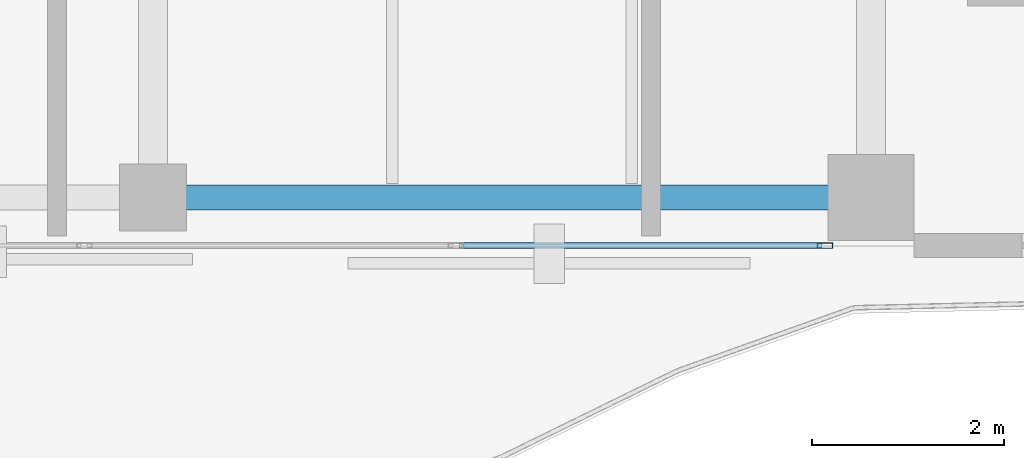
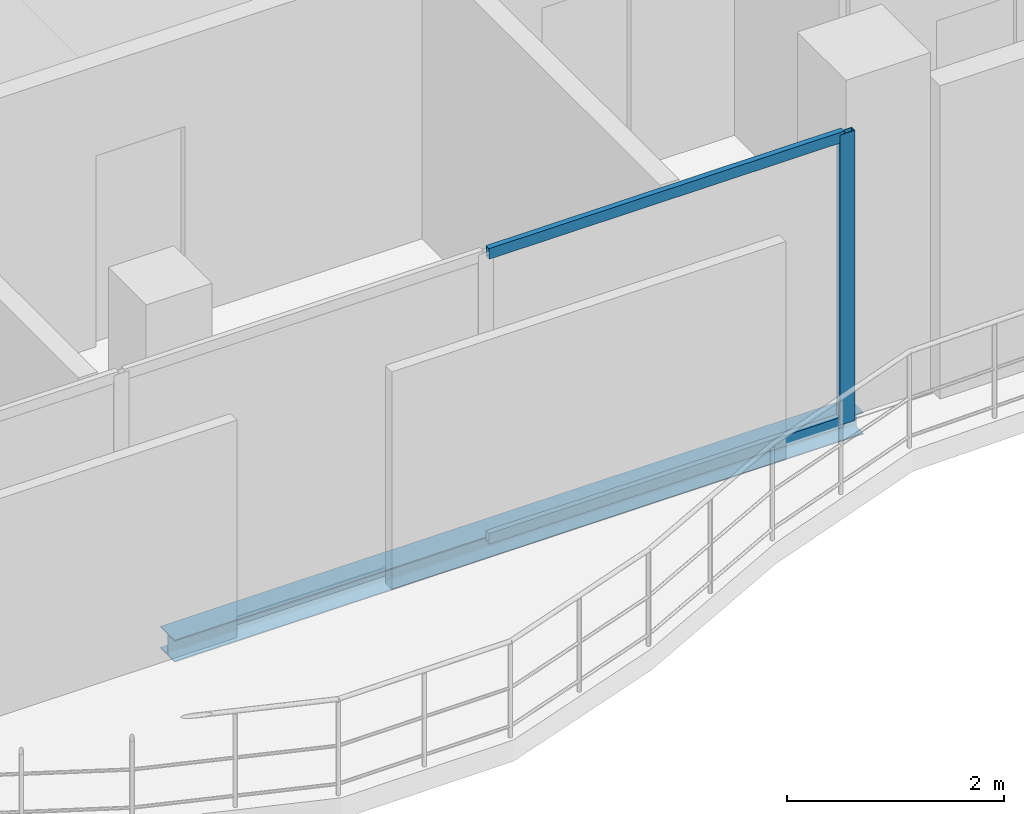
# One storey, part 7 of 18: 3 members, 1 beam, 1 element without a shape of its own.
"""IFC4 building model written with IfcOpenShell, lengths in metres."""

import ifcopenshell
import ifcopenshell.guid

model = None  # the IFC model being written
_history = None  # IfcOwnerHistory: only IFC2X3 demands one
_inside = {}  # id of a spatial element -> (the spatial element, [elements in it])
_under = {}  # id of a project, library or spatial element -> (it, [spatial elements below it])
_declared = {}  # id of a project -> (the project, [libraries it declares])
_typed = {}  # id of a type object -> (the type object, [elements of that type])
_made_of = {}  # id of a material, layer set ... -> (it, [elements and type objects made of it])


def new_model(schema):
    """Start an empty IFC model of exactly this schema.

    Asked for "IFC4X3", IfcOpenShell would pick the latest addendum, in which some entities
    have other attributes; the version numbers below select the first issue.
    IFC2X3 requires an IfcOwnerHistory on every rooted entity: one is made here for all.
    """
    global model, _history
    if schema == "IFC4X3":
        model = ifcopenshell.file(schema_version=(4, 3, 0, 0))
    else:
        model = ifcopenshell.file(schema=schema)
    _inside.clear()
    _under.clear()
    _declared.clear()
    _typed.clear()
    _made_of.clear()
    _history = None
    if model.schema == "IFC2X3":
        org = make("IfcOrganization", Name="unknown")
        user = make(
            "IfcPersonAndOrganization",
            ThePerson=make("IfcPerson", FamilyName="unknown"),
            TheOrganization=org,
        )
        app = make(
            "IfcApplication",
            ApplicationDeveloper=org,
            Version="unknown",
            ApplicationFullName="unknown",
            ApplicationIdentifier="unknown",
        )
        _history = make(
            "IfcOwnerHistory",
            OwningUser=user,
            OwningApplication=app,
            ChangeAction="ADDED",
            CreationDate=0,
        )
    return model


def make(cls, **values):
    """One entity of the class cls with the attributes given. An attribute that is None is left unset."""
    return model.create_entity(
        cls, **{name: value for name, value in values.items() if value is not None}
    )


def rooted(cls, **values):
    """An entity with a GlobalId (a new one), such as an element, a storey or a relation."""
    return make(cls, GlobalId=ifcopenshell.guid.new(), OwnerHistory=_history, **values)


def si_unit(unit_type, name, prefix=None):
    """IfcSIUnit, for example si_unit("LENGTHUNIT", "METRE", prefix="MILLI")."""
    return make("IfcSIUnit", UnitType=unit_type, Prefix=prefix, Name=name)


def assignment(units):
    """IfcUnitAssignment: the units of a project."""
    return None if units is None else make("IfcUnitAssignment", Units=units)


def point(xyz):
    """IfcCartesianPoint."""
    return None if xyz is None else make("IfcCartesianPoint", Coordinates=xyz)


def direction(xyz):
    """IfcDirection."""
    return None if xyz is None else make("IfcDirection", DirectionRatios=xyz)


def frame(location, z_axis=None, x_axis=None):
    """IfcAxis2Placement3D, a coordinate frame: its origin and axes. An axis left out is left unset."""
    return make(
        "IfcAxis2Placement3D",
        Location=point(location),
        Axis=direction(z_axis),
        RefDirection=direction(x_axis),
    )


def frame_2d(location, x_axis=None):
    """IfcAxis2Placement2D, a coordinate frame in the plane: its origin and x axis."""
    return make(
        "IfcAxis2Placement2D", Location=point(location), RefDirection=direction(x_axis)
    )


def origin():
    """The frame at (0, 0, 0) with its axes left unset."""
    return frame((0.0, 0.0, 0.0))


def origin_2d():
    """The frame at (0, 0) in the plane with its x axis left unset."""
    return frame_2d((0.0, 0.0))


def place(relative_to, where):
    """IfcLocalPlacement: puts the frame where relative to a parent placement (None: the world)."""
    return make(
        "IfcLocalPlacement", PlacementRelTo=relative_to, RelativePlacement=where
    )


def context(
    kind, dimensions, precision=None, world=None, true_north=None, identifier=None
):
    """IfcGeometricRepresentationContext, for example the 3D "Model" context."""
    return make(
        "IfcGeometricRepresentationContext",
        ContextIdentifier=identifier,
        ContextType=kind,
        CoordinateSpaceDimension=dimensions,
        Precision=precision,
        WorldCoordinateSystem=world,
        TrueNorth=true_north,
    )


def subcontext(parent, identifier, kind, view, scale=None):
    """IfcGeometricRepresentationSubContext, for example "Body" below "Model"."""
    return make(
        "IfcGeometricRepresentationSubContext",
        ContextIdentifier=identifier,
        ContextType=kind,
        ParentContext=parent,
        TargetScale=scale,
        TargetView=view,
    )


def project(units=None, contexts=None):
    """IfcProject with its units and contexts."""
    return rooted(
        "IfcProject",
        Name="project",
        RepresentationContexts=contexts,
        UnitsInContext=assignment(units),
    )


def spatial(cls, under=None, at=None, **own):
    """A site, building, storey or space (cls), placed at a placement, below another one or the project."""
    s = rooted(cls, ObjectPlacement=at, **own)
    if under is not None:
        _under.setdefault(under.id(), (under, []))[1].append(s)
    return s


def profile(cls, at=None, kind="AREA", **sizes):
    """A parametric profile (cls). Its sizes go by their IFC names, for example OverallWidth=200.0."""
    return make(cls, ProfileType=kind, Position=at, **sizes)


def hollow_rectangle(**sizes):
    """IfcRectangleHollowProfileDef."""
    return profile("IfcRectangleHollowProfileDef", **sizes)


def i_section(**sizes):
    """IfcIShapeProfileDef."""
    return profile("IfcIShapeProfileDef", **sizes)


def extrude(swept, where, along, depth):
    """IfcExtrudedAreaSolid: the profile swept, set in the frame where, extruded along a direction by depth."""
    return make(
        "IfcExtrudedAreaSolid",
        SweptArea=swept,
        Position=where,
        ExtrudedDirection=direction(along),
        Depth=depth,
    )


def shape(context_of_items, identifier, shape_type, items):
    """IfcShapeRepresentation: the items that make up one representation, for example the "Body"."""
    return make(
        "IfcShapeRepresentation",
        ContextOfItems=context_of_items,
        RepresentationIdentifier=identifier,
        RepresentationType=shape_type,
        Items=items,
    )


def material(Name=None, Category=None):
    """IfcMaterial."""
    return make("IfcMaterial", Name=Name, Category=Category)


def layer(
    of_material, thickness, ventilated=None, Name=None, Category=None, Priority=None
):
    """IfcMaterialLayer: one layer of a wall or slab, of a material (None: an air gap)."""
    return make(
        "IfcMaterialLayer",
        Material=of_material,
        LayerThickness=thickness,
        IsVentilated=ventilated,
        Name=Name,
        Category=Category,
        Priority=Priority,
    )


def layer_set(layers, Name=None):
    """IfcMaterialLayerSet."""
    return make("IfcMaterialLayerSet", MaterialLayers=layers, LayerSetName=Name)


def material_profile(
    of_material, cross_section, Name=None, Category=None, Priority=None
):
    """IfcMaterialProfile: a cross section and its material."""
    return make(
        "IfcMaterialProfile",
        Name=Name,
        Material=of_material,
        Profile=cross_section,
        Priority=Priority,
        Category=Category,
    )


def profile_set(profiles, Name=None, composite=None):
    """IfcMaterialProfileSet."""
    return make(
        "IfcMaterialProfileSet",
        Name=Name,
        MaterialProfiles=profiles,
        CompositeProfile=composite,
    )


def made_of(thing, what):
    """Note that an element or type object is made of a material, layer set ...; save() writes the relation."""
    if what is not None:
        _made_of.setdefault(what.id(), (what, []))[1].append(thing)
    return thing


def type_object(cls, material=None, **own):
    """A type object (cls), such as IfcWallType, which elements share."""
    return made_of(rooted(cls, **own), material)


def element(
    cls,
    number,
    at=None,
    inside=None,
    cuts=None,
    type_object=None,
    material=None,
    context=None,
    identifier="Body",
    shape_type=None,
    held_by="IfcProductDefinitionShape",
    body=None,
    shapes=None,
    **own,
):
    """One element of the class cls, such as IfcWall. Its Tag is "e" and its number.

    at: its placement. inside: the storey or other place that contains it. cuts: it is an
    opening in that element (IfcRelVoidsElement). A single representation is given by context,
    identifier, shape_type and body (its items); several are given by shapes. held_by: the class
    of the entity that holds the representations. save() writes the other relations.
    """
    e = rooted(cls, Tag="e%d" % number, ObjectPlacement=at, **own)
    if body is not None:
        shapes = [shape(context, identifier, shape_type, body)]
    if shapes is not None:
        e.Representation = make(held_by, Representations=shapes)
    if inside is not None:
        _inside.setdefault(inside.id(), (inside, []))[1].append(e)
    if cuts is not None:
        rooted(
            "IfcRelVoidsElement", RelatingBuildingElement=cuts, RelatedOpeningElement=e
        )
    if type_object is not None:
        _typed.setdefault(type_object.id(), (type_object, []))[1].append(e)
    return made_of(e, material)


def aggregate(whole, parts):
    """IfcRelAggregates: a whole, such as a stair, and the parts it consists of."""
    return rooted("IfcRelAggregates", RelatingObject=whole, RelatedObjects=parts)


def save(model, path):
    """Write the relations noted so far, then the file.

    IfcRelAggregates (storeys below a building ...), IfcRelContainedInSpatialStructure (elements
    in a storey), IfcRelDefinesByType, IfcRelAssociatesMaterial and IfcRelDeclares: one each for
    every whole, place, type object, material and project.
    """
    for whole, parts in _under.values():
        aggregate(whole, parts)
    for where, things in _inside.values():
        rooted(
            "IfcRelContainedInSpatialStructure",
            RelatedElements=things,
            RelatingStructure=where,
        )
    for kind, things in _typed.values():
        rooted("IfcRelDefinesByType", RelatedObjects=things, RelatingType=kind)
    for what, things in _made_of.values():
        rooted("IfcRelAssociatesMaterial", RelatedObjects=things, RelatingMaterial=what)
    for by, libraries in _declared.values():
        rooted("IfcRelDeclares", RelatingContext=by, RelatedDefinitions=libraries)
    model.write(path)


model = new_model("IFC4")

# Units and contexts
model_context = context("Model", 3, precision=1e-05, world=origin(), true_north=direction((0.0, 1.0)))
body_context = subcontext(model_context, "Body", "Model", "MODEL_VIEW")
ifc_project = project(units=[si_unit("LENGTHUNIT", "METRE"), si_unit("AREAUNIT", "SQUARE_METRE"), si_unit("VOLUMEUNIT", "CUBIC_METRE"), si_unit("PLANEANGLEUNIT", "RADIAN"), si_unit("MASSUNIT", "GRAM", prefix="KILO")], contexts=[model_context])

# Site, building, storey
site_placement = place(None, origin())
site = spatial("IfcSite", under=ifc_project, at=site_placement, CompositionType="ELEMENT")
building_placement = place(site_placement, origin())
building = spatial("IfcBuilding", under=site, at=building_placement, Name="Catumbela Crestline Tower", CompositionType="ELEMENT")
storey_placement = place(building_placement, frame((0.0, 0.0, 264.0)))
storey = spatial("IfcBuildingStorey", under=building, at=storey_placement, Name="L68", CompositionType="ELEMENT", Elevation=264.0)

# Curtain wall, member
ifc_material_1 = material(Name="Aluminium alloy AW-6060-T66", Category="aluminium")
ifc_layer = layer(ifc_material_1, 0.18, Name="Aluminium alloy AW-6060-T66")
ifc_layer_set = layer_set([ifc_layer], Name="Aluminium alloy AW-6060-T66")
curtain_wall_type = type_object("IfcCurtainWallType", Name="CWU-Z4", PredefinedType="USERDEFINED", material=ifc_layer_set)
curtain_wall_placement = place(storey_placement, origin())
curtain_wall = element("IfcCurtainWall", 1, at=curtain_wall_placement, inside=storey, type_object=curtain_wall_type, Name="L68 Unitised Curtain Wall CW-L68-E3S2", ObjectType="UNITISED", PredefinedType="USERDEFINED")
ifc_material_profile_1 = material_profile(ifc_material_1, hollow_rectangle(XDim=0.06, YDim=0.16, WallThickness=0.004, at=origin_2d()), Name="ALU 160x60x4")
ifc_profile_set_1 = profile_set([ifc_material_profile_1], Name="Aluminium alloy AW-6060-T66")
member_type_1 = type_object("IfcMemberType", Name="MUL-160X60", PredefinedType="MULLION", material=ifc_profile_set_1)
member_1_placement = place(storey_placement, frame((39.0175, 24.0, 0.0), z_axis=(0.0, 0.0, 1.0), x_axis=(0.0, 1.0, 0.0)))
member_1 = element("IfcMember", 2, at=member_1_placement, type_object=member_type_1, Name="CWU-Z4 mullion 4", PredefinedType="MULLION", context=body_context, shape_type="SweptSolid", body=[
    extrude(hollow_rectangle(XDim=0.06, YDim=0.16, WallThickness=0.004, at=origin_2d()), origin(), (0.0, 0.0, 1.0), 3.27),
])

# Beam
ifc_material_2 = material(Name="Structural steel S355J2", Category="steel")
ifc_material_profile_2 = material_profile(ifc_material_2, i_section(OverallWidth=0.26, OverallDepth=0.25, WebThickness=0.0075, FlangeThickness=0.0125, FilletRadius=0.024, at=origin_2d()), Name="HEA 260")
ifc_profile_set_2 = profile_set([ifc_material_profile_2], Name="Structural steel S355J2")
beam_type = type_object("IfcBeamType", Name="BS-HEA260", PredefinedType="SPANDREL", material=ifc_profile_set_2)
beam_placement = place(storey_placement, frame((32.08, 24.5, -0.385), z_axis=(1.0, 0.0, 0.0), x_axis=(0.0, 1.0, 0.0)))
element("IfcBeam", 3, at=beam_placement, inside=storey, type_object=beam_type, Name="L68 Spandrel SP-L68-S03", PredefinedType="SPANDREL", context=body_context, shape_type="SweptSolid", body=[
    extrude(i_section(OverallWidth=0.26, OverallDepth=0.25, WebThickness=0.0075, FlangeThickness=0.0125, FilletRadius=0.024, at=origin_2d()), origin(), (0.0, 0.0, 1.0), 7.34),
])

# Member
ifc_material_profile_3 = material_profile(ifc_material_1, hollow_rectangle(XDim=0.06, YDim=0.12, WallThickness=0.0035, at=origin_2d()), Name="ALU 120x60x3.5")
ifc_profile_set_3 = profile_set([ifc_material_profile_3], Name="Aluminium alloy AW-6060-T66")
member_type_2 = type_object("IfcMemberType", Name="TRN-120X60", PredefinedType="USERDEFINED", material=ifc_profile_set_3)
member_2_placement = place(storey_placement, frame((35.1992, 24.0, 0.03), z_axis=(1.0, 0.0, 0.0), x_axis=(0.0, 1.0, 0.0)))
member_2 = element("IfcMember", 4, at=member_2_placement, type_object=member_type_2, Name="CWU-Z4 transom 3.1", ObjectType="TRANSOM", PredefinedType="USERDEFINED", context=body_context, shape_type="SweptSolid", body=[
    extrude(hollow_rectangle(XDim=0.06, YDim=0.12, WallThickness=0.0035, at=origin_2d()), origin(), (0.0, 0.0, 1.0), 3.7858),
])

member_3_placement = place(storey_placement, frame((35.1992, 24.0, 3.24), z_axis=(1.0, 0.0, 0.0), x_axis=(0.0, 1.0, 0.0)))
member_3 = element("IfcMember", 5, at=member_3_placement, type_object=member_type_2, Name="CWU-Z4 transom 3.2", ObjectType="TRANSOM", PredefinedType="USERDEFINED", context=body_context, shape_type="SweptSolid", body=[
    extrude(hollow_rectangle(XDim=0.06, YDim=0.12, WallThickness=0.0035, at=origin_2d()), origin(), (0.0, 0.0, 1.0), 3.7858),
])

aggregate(curtain_wall, [member_1, member_2, member_3])

save(model, "model.ifc")
